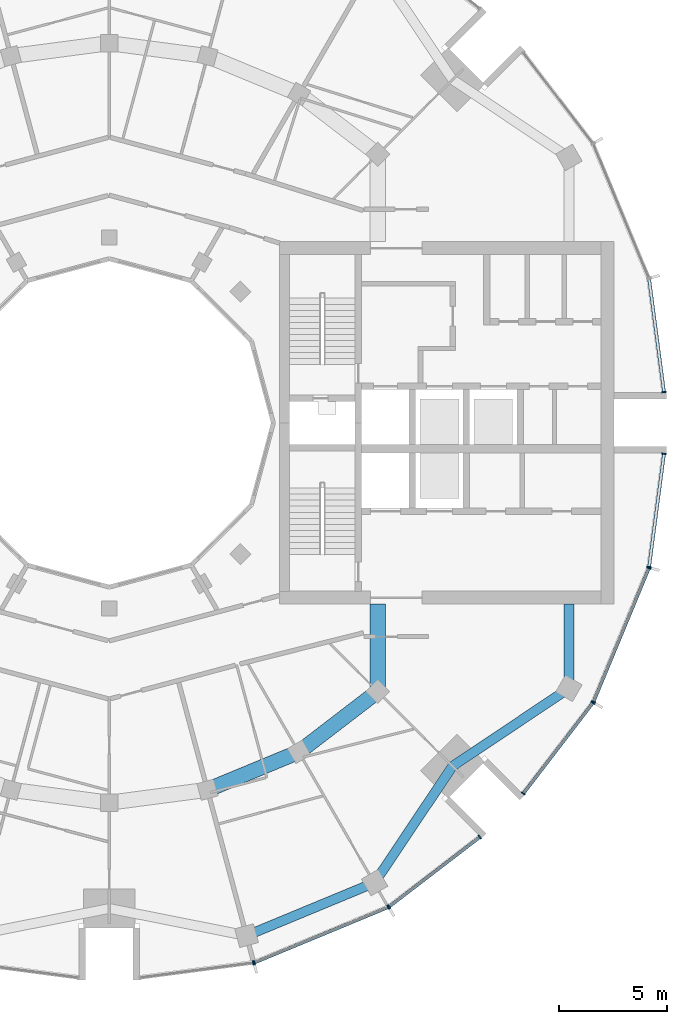
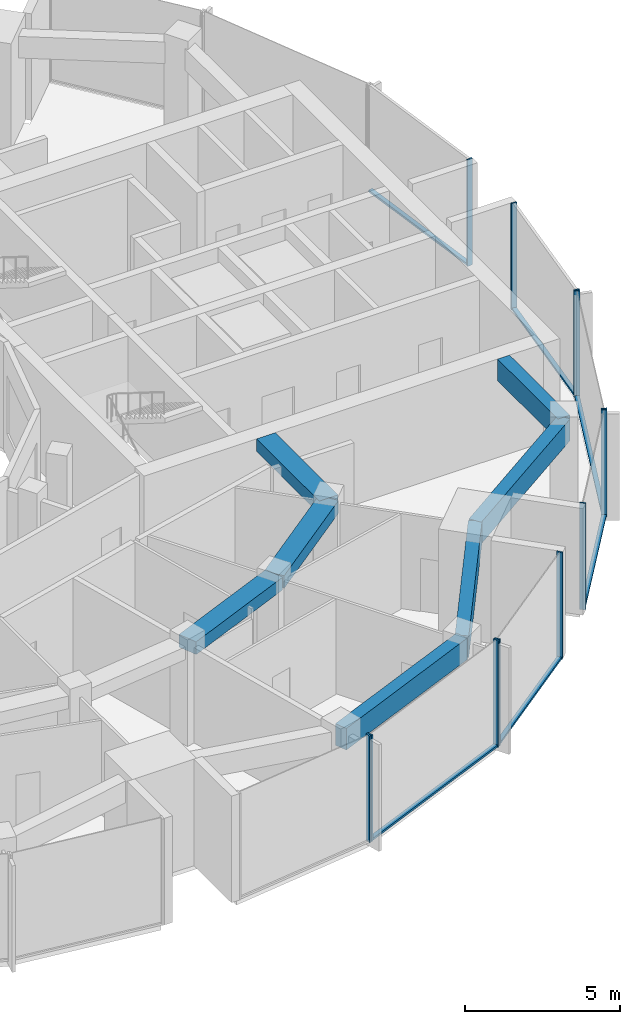
# One storey, part 4 of 15: 18 members, 7 beams, 7 elements without a shape of their own.
"""IFC4 building model written with IfcOpenShell, lengths in metres."""

from ifc_helpers import new_model, si_unit, direction, frame, origin, origin_2d, place, context, subcontext, project, spatial, rectangle, extrude, material, layer, layer_set, material_profile, profile_set, type_object, element, aggregate, save


model = new_model("IFC4")

# Units and contexts
model_context = context("Model", 3, precision=1e-05, world=origin(), true_north=direction((0.0, 1.0)))
body_context = subcontext(model_context, "Body", "Model", "MODEL_VIEW")
ifc_project = project(units=[si_unit("LENGTHUNIT", "METRE"), si_unit("AREAUNIT", "SQUARE_METRE"), si_unit("VOLUMEUNIT", "CUBIC_METRE"), si_unit("PLANEANGLEUNIT", "RADIAN"), si_unit("MASSUNIT", "GRAM", prefix="KILO")], contexts=[model_context])

# Site, building, storey
site_placement = place(None, origin())
site = spatial("IfcSite", under=ifc_project, at=site_placement, CompositionType="ELEMENT")
building_placement = place(site_placement, origin())
building = spatial("IfcBuilding", under=site, at=building_placement, Name="Torre Brocal", CompositionType="ELEMENT")
storey_placement = place(building_placement, frame((0.0, 0.0, 258.300048828125)))
storey = spatial("IfcBuildingStorey", under=building, at=storey_placement, Name="L59", CompositionType="ELEMENT", Elevation=258.300048828125)

# Curtain wall, member
ifc_material_1 = material(Name="Aluminium and glass", Category="aluminium")
ifc_layer_1 = layer(ifc_material_1, 0.199951171875)
ifc_layer_set_1 = layer_set([ifc_layer_1], Name="Aluminium and glass")
curtain_wall_type_1 = type_object("IfcCurtainWallType", Name="CW-1 CURTAIN WALL 4200 HIGH", PredefinedType="NOTDEFINED", material=ifc_layer_set_1)
curtain_wall_1_placement = place(storey_placement, origin())
curtain_wall_1 = element("IfcCurtainWall", 1, at=curtain_wall_1_placement, inside=storey, type_object=curtain_wall_type_1, Name="CW-1 RUN 19", PredefinedType="NOTDEFINED")
ifc_material_2 = material(Name="Aluminium, dark anodised", Category="aluminium")
ifc_material_profile_1 = material_profile(ifc_material_2, rectangle(XDim=0.199951171875, YDim=0.06005859375, at=origin_2d()), Name="CW-1 MULLION 60X200")
ifc_profile_set_1 = profile_set([ifc_material_profile_1], Name="Aluminium, dark anodised")
member_type_1 = type_object("IfcMemberType", Name="CW-1 MULLION 60X200", PredefinedType="MULLION", material=ifc_profile_set_1)
member_1_placement = place(storey_placement, frame((86.67333984375, 49.9794921875, 0.0), z_axis=(0.0, 0.0, 1.0), x_axis=(-0.13052619222, 0.991444861374, 0.0)))
member_1 = element("IfcMember", 2, at=member_1_placement, type_object=member_type_1, Name="CW1-5 mullion 2", PredefinedType="MULLION", context=body_context, shape_type="SweptSolid", body=[
    extrude(rectangle(XDim=0.199951171875, YDim=0.06005859375, at=origin_2d()), origin(), (0.0, 0.0, 1.0), 4.199951171875),
])
aggregate(curtain_wall_1, [member_1])

# Curtain wall, members
curtain_wall_2_placement = place(storey_placement, origin())
curtain_wall_2 = element("IfcCurtainWall", 3, at=curtain_wall_2_placement, inside=storey, type_object=curtain_wall_type_1, Name="CW-1 RUN 20", PredefinedType="NOTDEFINED")
member_2_placement = place(storey_placement, frame((86.73095703125, 49.994873046875, 0.0), z_axis=(0.0, 0.0, 1.0), x_axis=(-0.382683432333, 0.923879532525, 0.0)))
member_2 = element("IfcMember", 4, at=member_2_placement, type_object=member_type_1, Name="CW1-5 mullion 1", PredefinedType="MULLION", context=body_context, shape_type="SweptSolid", body=[
    extrude(rectangle(XDim=0.199951171875, YDim=0.06005859375, at=origin_2d()), origin(), (0.0, 0.0, 1.0), 4.199951171875),
])
member_3_placement = place(storey_placement, frame((92.921875, 52.559326171875, 0.0), z_axis=(0.0, 0.0, 1.0), x_axis=(-0.382683432333, 0.923879532525, 0.0)))
member_3 = element("IfcMember", 5, at=member_3_placement, type_object=member_type_1, Name="CW1-5 mullion 2", PredefinedType="MULLION", context=body_context, shape_type="SweptSolid", body=[
    extrude(rectangle(XDim=0.199951171875, YDim=0.06005859375, at=origin_2d()), origin(), (0.0, 0.0, 1.0), 4.199951171875),
])

curtain_wall_3_placement = place(storey_placement, origin())
curtain_wall_3 = element("IfcCurtainWall", 6, at=curtain_wall_3_placement, inside=storey, type_object=curtain_wall_type_1, Name="CW-1 RUN 21", PredefinedType="NOTDEFINED")
member_4_placement = place(storey_placement, frame((92.973388671875, 52.5888671875, 0.0), z_axis=(0.0, 0.0, 1.0), x_axis=(-0.60876142905, 0.793353340259, 0.0)))
member_4 = element("IfcMember", 7, at=member_4_placement, type_object=member_type_1, Name="CW1-5 mullion 1", PredefinedType="MULLION", context=body_context, shape_type="SweptSolid", body=[
    extrude(rectangle(XDim=0.199951171875, YDim=0.06005859375, at=origin_2d()), origin(), (0.0, 0.0, 1.0), 4.199951171875),
])
member_5_placement = place(storey_placement, frame((97.16943359375, 55.80859375, 0.0), z_axis=(0.0, 0.0, 1.0), x_axis=(-0.60876142905, 0.793353340259, 0.0)))
member_5 = element("IfcMember", 8, at=member_5_placement, type_object=member_type_1, Name="CW1-5 mullion 2", PredefinedType="MULLION", context=body_context, shape_type="SweptSolid", body=[
    extrude(rectangle(XDim=0.199951171875, YDim=0.06005859375, at=origin_2d()), origin(), (0.0, 0.0, 1.0), 4.199951171875),
])

curtain_wall_4_placement = place(storey_placement, origin())
curtain_wall_4 = element("IfcCurtainWall", 9, at=curtain_wall_4_placement, inside=storey, type_object=curtain_wall_type_1, Name="CW-1 RUN 22", PredefinedType="NOTDEFINED")
member_6_placement = place(storey_placement, frame((99.19140625, 57.83056640625, 0.0), z_axis=(0.0, 0.0, 1.0), x_axis=(-0.793353340259, 0.60876142905, 0.0)))
member_6 = element("IfcMember", 10, at=member_6_placement, type_object=member_type_1, Name="CW1-5 mullion 1", PredefinedType="MULLION", context=body_context, shape_type="SweptSolid", body=[
    extrude(rectangle(XDim=0.199951171875, YDim=0.06005859375, at=origin_2d()), origin(), (0.0, 0.0, 1.0), 4.199951171875),
])
member_7_placement = place(storey_placement, frame((102.4111328125, 62.026611328125, 0.0), z_axis=(0.0, 0.0, 1.0), x_axis=(-0.793353340259, 0.60876142905, 0.0)))
member_7 = element("IfcMember", 11, at=member_7_placement, type_object=member_type_1, Name="CW1-5 mullion 2", PredefinedType="MULLION", context=body_context, shape_type="SweptSolid", body=[
    extrude(rectangle(XDim=0.199951171875, YDim=0.06005859375, at=origin_2d()), origin(), (0.0, 0.0, 1.0), 4.199951171875),
])

curtain_wall_5_placement = place(storey_placement, origin())
curtain_wall_5 = element("IfcCurtainWall", 12, at=curtain_wall_5_placement, inside=storey, type_object=curtain_wall_type_1, Name="CW-1 RUN 23", PredefinedType="NOTDEFINED")
member_8_placement = place(storey_placement, frame((102.440673828125, 62.078125, 0.0), z_axis=(0.0, 0.0, 1.0), x_axis=(-0.923879532525, 0.382683432333, 0.0)))
member_8 = element("IfcMember", 13, at=member_8_placement, type_object=member_type_1, Name="CW1-5 mullion 1", PredefinedType="MULLION", context=body_context, shape_type="SweptSolid", body=[
    extrude(rectangle(XDim=0.199951171875, YDim=0.06005859375, at=origin_2d()), origin(), (0.0, 0.0, 1.0), 4.199951171875),
])
member_9_placement = place(storey_placement, frame((105.005126953125, 68.26904296875, 0.0), z_axis=(0.0, 0.0, 1.0), x_axis=(-0.923879532525, 0.382683432333, 0.0)))
member_9 = element("IfcMember", 14, at=member_9_placement, type_object=member_type_1, Name="CW1-5 mullion 2", PredefinedType="MULLION", context=body_context, shape_type="SweptSolid", body=[
    extrude(rectangle(XDim=0.199951171875, YDim=0.06005859375, at=origin_2d()), origin(), (0.0, 0.0, 1.0), 4.199951171875),
])

# Member
ifc_material_3 = material(Name="Aluminium, dark anodised", Category="aluminium")
ifc_material_profile_2 = material_profile(ifc_material_3, rectangle(XDim=0.159912109375, YDim=0.080078125, at=origin_2d()), Name="CW-1 TRANSOM 160X80")
ifc_profile_set_2 = profile_set([ifc_material_profile_2], Name="Aluminium, dark anodised")
member_type_2 = type_object("IfcMemberType", Name="CW-1 TRANSOM 160X80", PredefinedType="USERDEFINED", material=ifc_profile_set_2)
member_10_placement = place(storey_placement, frame((86.758544921875, 50.00634765625, 0.0400390625), z_axis=(0.923887344364, 0.38266457234, 0.0), x_axis=(-0.38266457234, 0.923887344364, 0.0)))
member_10 = element("IfcMember", 15, at=member_10_placement, type_object=member_type_2, Name="CW1-5 transom 1.1", ObjectType="TRANSOM", PredefinedType="USERDEFINED", context=body_context, shape_type="SweptSolid", body=[
    extrude(rectangle(XDim=0.159912109375, YDim=0.080078125, at=origin_2d()), origin(), (0.0, 0.0, 1.0), 6.640869140625),
])

aggregate(curtain_wall_2, [member_2, member_3, member_10])

member_11_placement = place(storey_placement, frame((92.9970703125, 52.607177734375, 0.0400390625), z_axis=(0.79336281513, 0.60874908096, 0.0), x_axis=(-0.60874908096, 0.79336281513, 0.0)))
member_11 = element("IfcMember", 16, at=member_11_placement, type_object=member_type_2, Name="CW1-5 transom 1.1", ObjectType="TRANSOM", PredefinedType="USERDEFINED", context=body_context, shape_type="SweptSolid", body=[
    extrude(rectangle(XDim=0.159912109375, YDim=0.080078125, at=origin_2d()), origin(), (0.0, 0.0, 1.0), 5.22900390625),
])

aggregate(curtain_wall_3, [member_4, member_5, member_11])

member_12_placement = place(storey_placement, frame((99.209716796875, 57.8544921875, 0.0400390625), z_axis=(0.60874908096, 0.79336281513, 0.0), x_axis=(-0.79336281513, 0.60874908096, 0.0)))
member_12 = element("IfcMember", 17, at=member_12_placement, type_object=member_type_2, Name="CW1-5 transom 1.1", ObjectType="TRANSOM", PredefinedType="USERDEFINED", context=body_context, shape_type="SweptSolid", body=[
    extrude(rectangle(XDim=0.159912109375, YDim=0.080078125, at=origin_2d()), origin(), (0.0, 0.0, 1.0), 5.22900390625),
])

aggregate(curtain_wall_4, [member_6, member_7, member_12])

member_13_placement = place(storey_placement, frame((102.452392578125, 62.10595703125, 0.0400390625), z_axis=(0.38266457234, 0.923887344364, 0.0), x_axis=(-0.923887344364, 0.38266457234, 0.0)))
member_13 = element("IfcMember", 18, at=member_13_placement, type_object=member_type_2, Name="CW1-5 transom 1.1", ObjectType="TRANSOM", PredefinedType="USERDEFINED", context=body_context, shape_type="SweptSolid", body=[
    extrude(rectangle(XDim=0.159912109375, YDim=0.080078125, at=origin_2d()), origin(), (0.0, 0.0, 1.0), 6.640869140625),
])

aggregate(curtain_wall_5, [member_8, member_9, member_13])

# Curtain wall, member
ifc_material_4 = material(Name="Aluminium and glass", Category="aluminium")
ifc_layer_2 = layer(ifc_material_4, 0.199951171875)
ifc_layer_set_2 = layer_set([ifc_layer_2], Name="Aluminium and glass")
curtain_wall_type_2 = type_object("IfcCurtainWallType", Name="CW-1B CURTAIN WALL 4200 HIGH", PredefinedType="NOTDEFINED", material=ifc_layer_set_2)
curtain_wall_6_placement = place(storey_placement, origin())
curtain_wall_6 = element("IfcCurtainWall", 19, at=curtain_wall_6_placement, inside=storey, type_object=curtain_wall_type_2, Name="CW-1B RUN 1", PredefinedType="NOTDEFINED")
ifc_material_5 = material(Name="Aluminium, dark anodised", Category="aluminium")
ifc_material_profile_3 = material_profile(ifc_material_5, rectangle(XDim=0.199951171875, YDim=0.06005859375, at=origin_2d()), Name="CW-1B MULLION 60X200")
ifc_profile_set_3 = profile_set([ifc_material_profile_3], Name="Aluminium, dark anodised")
member_type_3 = type_object("IfcMemberType", Name="CW-1B MULLION 60X200", PredefinedType="MULLION", material=ifc_profile_set_3)
member_14_placement = place(storey_placement, frame((105.7109375, 76.4296875, 0.0), z_axis=(0.0, 0.0, 1.0), x_axis=(-0.991444861374, -0.13052619222, 0.0)))
member_14 = element("IfcMember", 20, at=member_14_placement, type_object=member_type_3, Name="CW1B-5 mullion 1", PredefinedType="MULLION", context=body_context, shape_type="SweptSolid", body=[
    extrude(rectangle(XDim=0.199951171875, YDim=0.06005859375, at=origin_2d()), origin(), (0.0, 0.0, 1.0), 4.199951171875),
])

# Curtain wall, members
curtain_wall_7_placement = place(storey_placement, origin())
curtain_wall_7 = element("IfcCurtainWall", 21, at=curtain_wall_7_placement, inside=storey, type_object=curtain_wall_type_2, Name="CW-1B RUN 24", PredefinedType="NOTDEFINED")
member_15_placement = place(storey_placement, frame((105.0205078125, 68.32666015625, 0.0), z_axis=(0.0, 0.0, 1.0), x_axis=(-0.991444861374, 0.13052619222, 0.0)))
member_15 = element("IfcMember", 22, at=member_15_placement, type_object=member_type_3, Name="CW1B-5 mullion 1", PredefinedType="MULLION", context=body_context, shape_type="SweptSolid", body=[
    extrude(rectangle(XDim=0.199951171875, YDim=0.06005859375, at=origin_2d()), origin(), (0.0, 0.0, 1.0), 4.199951171875),
])
member_16_placement = place(storey_placement, frame((105.7109375, 73.5703125, 0.0), z_axis=(0.0, 0.0, 1.0), x_axis=(-0.991444861374, 0.13052619222, 0.0)))
member_16 = element("IfcMember", 23, at=member_16_placement, type_object=member_type_3, Name="CW1B-5 mullion 2", PredefinedType="MULLION", context=body_context, shape_type="SweptSolid", body=[
    extrude(rectangle(XDim=0.199951171875, YDim=0.06005859375, at=origin_2d()), origin(), (0.0, 0.0, 1.0), 4.199951171875),
])

# Member
ifc_material_6 = material(Name="Aluminium, dark anodised", Category="aluminium")
ifc_material_profile_4 = material_profile(ifc_material_6, rectangle(XDim=0.159912109375, YDim=0.080078125, at=origin_2d()), Name="CW-1B TRANSOM 160X80")
ifc_profile_set_4 = profile_set([ifc_material_profile_4], Name="Aluminium, dark anodised")
member_type_4 = type_object("IfcMemberType", Name="CW-1B TRANSOM 160X80", PredefinedType="USERDEFINED", material=ifc_profile_set_4)
member_17_placement = place(storey_placement, frame((105.70703125, 76.45947265625, 0.0400390625), z_axis=(-0.130542677827, 0.991442690863, 0.0), x_axis=(-0.991442690863, -0.130542677827, 0.0)))
member_17 = element("IfcMember", 24, at=member_17_placement, type_object=member_type_4, Name="CW1B-5 transom 1.1", ObjectType="TRANSOM", PredefinedType="USERDEFINED", context=body_context, shape_type="SweptSolid", body=[
    extrude(rectangle(XDim=0.159912109375, YDim=0.080078125, at=origin_2d()), origin(), (0.0, 0.0, 1.0), 5.22900390625),
])

aggregate(curtain_wall_6, [member_14, member_17])

member_18_placement = place(storey_placement, frame((105.0244140625, 68.356201171875, 0.0400390625), z_axis=(0.130542677827, 0.991442690863, 0.0), x_axis=(-0.991442690863, 0.130542677827, 0.0)))
member_18 = element("IfcMember", 25, at=member_18_placement, type_object=member_type_4, Name="CW1B-5 transom 1.1", ObjectType="TRANSOM", PredefinedType="USERDEFINED", context=body_context, shape_type="SweptSolid", body=[
    extrude(rectangle(XDim=0.159912109375, YDim=0.080078125, at=origin_2d()), origin(), (0.0, 0.0, 1.0), 5.22900390625),
])

aggregate(curtain_wall_7, [member_15, member_16, member_18])

# Beams
ifc_material_7 = material(Name="Concrete C50", Category="concrete")
ifc_material_profile_5 = material_profile(ifc_material_7, rectangle(XDim=0.699951171875, YDim=0.5, at=origin_2d()), Name="RC 700X500")
ifc_profile_set_5 = profile_set([ifc_material_profile_5], Name="Concrete C50")
beam_type_1 = type_object("IfcBeamType", Name="RC BEAM 700X500 C50 TOP 3880", PredefinedType="BEAM", material=ifc_profile_set_5)
beam_1_placement = place(storey_placement, frame((84.55517578125, 57.999755859375, 3.6298828125), z_axis=(0.923878240166, 0.382686552348, 0.0), x_axis=(-0.382686552348, 0.923878240166, 0.0)))
element("IfcBeam", 26, at=beam_1_placement, inside=storey, type_object=beam_type_1, Name="Beam BT-37", PredefinedType="BEAM", context=body_context, shape_type="SweptSolid", body=[
    extrude(rectangle(XDim=0.699951171875, YDim=0.5, at=origin_2d()), origin(), (0.0, 0.0, 1.0), 4.5947265625),
])
beam_2_placement = place(storey_placement, frame((88.800048828125, 59.758056640625, 3.6298828125), z_axis=(0.793358265959, 0.6087550097, 0.0), x_axis=(-0.6087550097, 0.793358265959, 0.0)))
element("IfcBeam", 27, at=beam_2_placement, inside=storey, type_object=beam_type_1, Name="Beam BT-37", PredefinedType="BEAM", context=body_context, shape_type="SweptSolid", body=[
    extrude(rectangle(XDim=0.699951171875, YDim=0.5, at=origin_2d()), origin(), (0.0, 0.0, 1.0), 4.594482421875),
])
beam_3_placement = place(storey_placement, frame((92.445068359375, 62.554931640625, 3.6298828125), z_axis=(0.0, 1.0, 0.0), x_axis=(-1.0, 0.0, 0.0)))
element("IfcBeam", 28, at=beam_3_placement, inside=storey, type_object=beam_type_1, Name="Beam BT-37", PredefinedType="BEAM", context=body_context, shape_type="SweptSolid", body=[
    extrude(rectangle(XDim=0.699951171875, YDim=0.5, at=origin_2d()), origin(), (0.0, 0.0, 1.0), 4.045166015625),
])
ifc_material_8 = material(Name="Concrete C50", Category="concrete")
ifc_material_profile_6 = material_profile(ifc_material_8, rectangle(XDim=0.449951171875, YDim=0.85009765625, at=origin_2d()), Name="RC 450X850")
ifc_profile_set_6 = profile_set([ifc_material_profile_6], Name="Concrete C50")
beam_type_2 = type_object("IfcBeamType", Name="RC SPANDREL BEAM 450X850 C50 TOP 3880", PredefinedType="SPANDREL", material=ifc_profile_set_6)
beam_4_placement = place(storey_placement, frame((86.366943359375, 51.23828125, 3.454833984375), z_axis=(0.923882462513, 0.382676358639, 0.0), x_axis=(-0.382676358639, 0.923882462513, 0.0)))
element("IfcBeam", 29, at=beam_4_placement, inside=storey, type_object=beam_type_2, Name="Beam BT-38", PredefinedType="SPANDREL", context=body_context, shape_type="SweptSolid", body=[
    extrude(rectangle(XDim=0.449951171875, YDim=0.85009765625, at=origin_2d()), origin(), (0.0, 0.0, 1.0), 6.421875),
])
for number, where, z_axis, x_axis, name in (
    (30, (92.300048828125, 53.69580078125, 3.454833984375), (0.556157602282, 0.831076844476, 0.0), (-0.831076844476, 0.556157602282, 0.0), "Beam BT-38"),
    (31, (95.909912109375, 59.090087890625, 3.454833984375), (0.831076844476, 0.556157602282, 0.0), (-0.556157602282, 0.831076844476, 0.0), "Beam BT-38"),
):
    element("IfcBeam", number, at=place(storey_placement, frame(where, z_axis=z_axis, x_axis=x_axis)), inside=storey, type_object=beam_type_2, Name=name, PredefinedType="SPANDREL", context=body_context, shape_type="SweptSolid", body=[
        extrude(rectangle(XDim=0.449951171875, YDim=0.85009765625, at=origin_2d()), origin(), (0.0, 0.0, 1.0), 6.49072265625),
    ])
beam_5_placement = place(storey_placement, frame((101.30419921875, 62.699951171875, 3.454833984375), z_axis=(0.0, 1.0, 0.0), x_axis=(-1.0, 0.0, 0.0)))
element("IfcBeam", 32, at=beam_5_placement, inside=storey, type_object=beam_type_2, Name="Beam BT-38", PredefinedType="SPANDREL", context=body_context, shape_type="SweptSolid", body=[
    extrude(rectangle(XDim=0.449951171875, YDim=0.85009765625, at=origin_2d()), origin(), (0.0, 0.0, 1.0), 3.900146484375),
])

save(model, "model.ifc")
